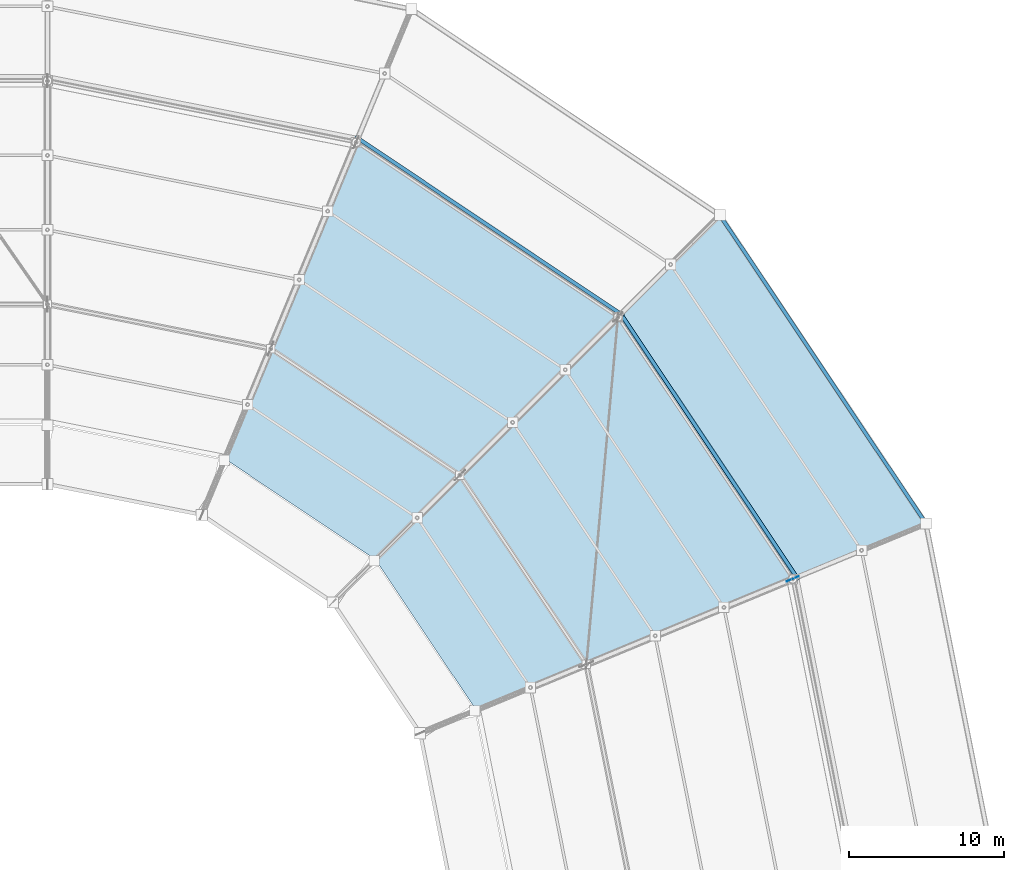
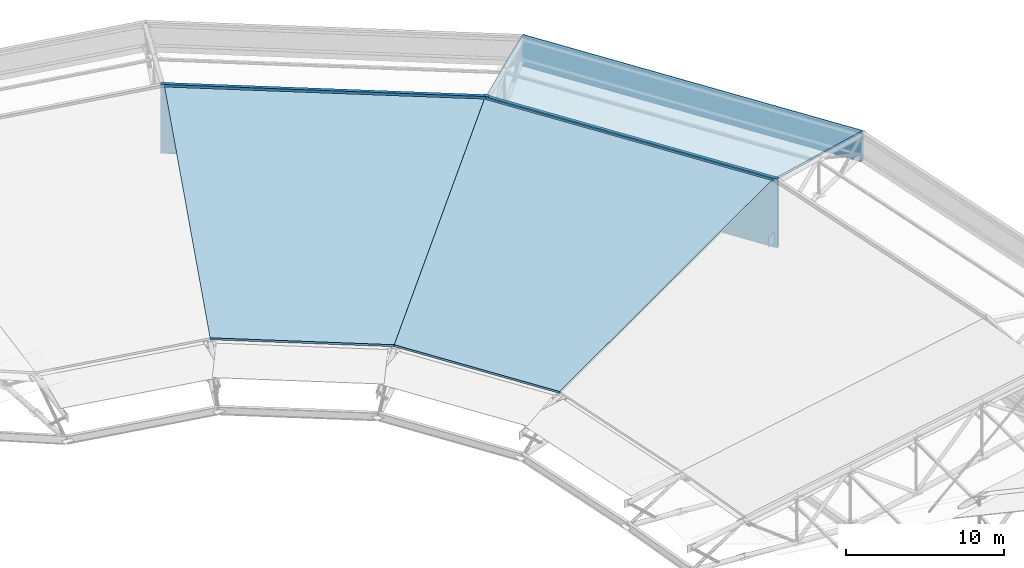
# One storey, part 118 of 146: 4 plates, 3 slabs.
"""IFC4 building model written with IfcOpenShell, lengths in metres."""

from ifc_helpers import new_model, si_unit, direction, frame, origin, origin_2d, place, context, subcontext, project, spatial, polyline, rectangle, outline, extrude, material, layer, layer_set, type_object, element, save


model = new_model("IFC4")

# Units and contexts
model_context = context("Model", 3, precision=1e-05, world=origin(), true_north=direction((0.0, 1.0)))
body_context = subcontext(model_context, "Body", "Model", "MODEL_VIEW")
ifc_project = project(units=[si_unit("LENGTHUNIT", "METRE"), si_unit("AREAUNIT", "SQUARE_METRE"), si_unit("VOLUMEUNIT", "CUBIC_METRE"), si_unit("PLANEANGLEUNIT", "RADIAN"), si_unit("MASSUNIT", "GRAM", prefix="KILO")], contexts=[model_context])

# Site, building, storey
site_placement = place(None, origin())
site = spatial("IfcSite", under=ifc_project, at=site_placement, CompositionType="ELEMENT")
building_placement = place(site_placement, origin())
building = spatial("IfcBuilding", under=site, at=building_placement, Name="Candeia Ridge Stadium", CompositionType="ELEMENT")
storey_placement = place(building_placement, frame((0.0, 0.0, 31.800048828125)))
storey = spatial("IfcBuildingStorey", under=building, at=storey_placement, Name="RF", CompositionType="ELEMENT", Elevation=31.800048828125)

# Plates
ifc_material_1 = material(Name="Aluminium Anodized Warm Bronze", Category="aluminium")
ifc_layer_1 = layer(ifc_material_1, 0.239990234375, Name="Aluminium Anodized Warm Bronze", Category="aluminium")
ifc_layer_set_1 = layer_set([ifc_layer_1], Name="Aluminium Anodized Warm Bronze")
plate_type_1 = type_object("IfcPlateType", Name="Crown Perforated Bronze Acoustic Screen", PredefinedType="SHEET", material=ifc_layer_set_1)
plate_1_placement = place(storey_placement, frame((183.634033203125, 123.487060546875, -0.3251953125), z_axis=(0.0, 0.0, 1.0), x_axis=(-0.555570210802, 0.831469627148, 0.0)))
element("IfcPlate", 1, at=plate_1_placement, inside=storey, type_object=plate_type_1, Name="Crown perforated bronze acoustic screen RF bay 34", PredefinedType="SHEET", context=body_context, shape_type="SweptSolid", body=[
    extrude(rectangle(XDim=20.798583984375, YDim=0.239990234375, at=origin_2d()), origin(), (0.0, 0.0, 1.0), 5.330078125),
])
plate_2_placement = place(storey_placement, frame((190.98974609375, 128.402099609375, 1.25), z_axis=(0.0, 0.0, 1.0), x_axis=(-0.555570200194, 0.831469634236, 0.0)))
element("IfcPlate", 2, at=plate_2_placement, inside=storey, type_object=plate_type_1, Name="Saddle roof outer eaves warm-bronze fascia bay 34", PredefinedType="SHEET", context=body_context, shape_type="SweptSolid", body=[
    extrude(rectangle(XDim=23.97802734375, YDim=0.239990234375, at=origin_2d()), origin(), (0.0, 0.0, 1.0), 2.300048828125),
])
plate_3_placement = place(storey_placement, frame((169.487060546875, 137.634033203125, -0.3251953125), z_axis=(0.0, 0.0, 1.0), x_axis=(-0.831469627148, 0.555570210802, 0.0)))
element("IfcPlate", 3, at=plate_3_placement, inside=storey, type_object=plate_type_1, Name="Crown perforated bronze acoustic screen RF bay 35", PredefinedType="SHEET", context=body_context, shape_type="SweptSolid", body=[
    extrude(rectangle(XDim=20.798583984375, YDim=0.239990234375, at=origin_2d()), origin(), (0.0, 0.0, 1.0), 5.330078125),
])
ifc_material_2 = material(Name="Steel ASTM A572 Grade 50", Category="steel")
ifc_layer_2 = layer(ifc_material_2, 0.028076171875, Name="Steel ASTM A572 Grade 50", Category="steel")
ifc_layer_set_2 = layer_set([ifc_layer_2], Name="Steel ASTM A572 Grade 50")
plate_type_2 = type_object("IfcPlateType", Name="Roof Truss Outer Tie Node Gusset ND-2", PredefinedType="USERDEFINED", material=ifc_layer_set_2)
plate_4_placement = place(storey_placement, frame((189.041748046875, 114.899658203125, -0.025146484375), z_axis=(0.0, 0.0, 1.0), x_axis=(0.923879532077, 0.382683433413, 0.0)))
element("IfcPlate", 4, at=plate_4_placement, inside=storey, type_object=plate_type_2, Name="Roof truss outer support node ND-2 bay 34", ObjectType="GUSSET PLATE", PredefinedType="USERDEFINED", context=body_context, shape_type="SweptSolid", body=[
    extrude(rectangle(XDim=0.85009765625, YDim=0.028076171875, at=origin_2d()), origin(), (0.0, 0.0, 1.0), 0.85009765625),
])

# Slabs
ifc_layer_3 = layer(ifc_material_2, 0.1650390625, Name="Steel ASTM A572 Grade 50", Category="steel")
ifc_layer_set_3 = layer_set([ifc_layer_3], Name="Steel ASTM A572 Grade 50")
slab_type_1 = type_object("IfcSlabType", Name="Saddle Eaves Roof Deck 165", PredefinedType="ROOF", material=ifc_layer_set_3)
slab_1_placement = place(storey_placement, frame((189.115966796875, 114.929931640625, 4.988037109375), z_axis=(0.126159658461, 0.084296794497, 0.988421868948), x_axis=(-0.555586657838, 0.831458637348, 3.364062e-06)))
element("IfcSlab", 5, at=slab_1_placement, inside=storey, type_object=slab_type_1, Name="Stadium saddle roof eave deck bay 34", PredefinedType="ROOF", context=body_context, shape_type="SweptSolid", body=[
    extrude(outline(polyline([(0.0, 0.0), (20.32091695834634, 0.0), (22.119602982938805, -9.149485867843724), (-1.7990793095016628, -9.148505019899881), (0.0, 0.0)])), origin(), (0.0, 0.0, -1.0), 0.1650390625),
])
ifc_layer_4 = layer(ifc_material_2, 0.179931640625, Name="Steel ASTM A572 Grade 50", Category="steel")
ifc_layer_set_4 = layer_set([ifc_layer_4], Name="Steel ASTM A572 Grade 50")
slab_type_2 = type_object("IfcSlabType", Name="Saddle Roof Structural Deck 180", PredefinedType="ROOF", material=ifc_layer_set_4)
slab_2_placement = place(storey_placement, frame((168.6240234375, 106.44189453125, 0.911865234375), z_axis=(-0.154087355623, -0.102962524473, 0.982677874683), x_axis=(-0.555597739994, 0.831451232069, -2.308707e-06)))
element("IfcSlab", 6, at=slab_2_placement, inside=storey, type_object=slab_type_2, Name="Stadium saddle roof main deck bay 34", PredefinedType="ROOF", context=body_context, shape_type="SweptSolid", body=[
    extrude(outline(polyline([(0.0, 0.0), (11.666586999361916, 0.0), (15.96183736590626, -21.978166695986), (-4.296445413772824, -21.97776898157144), (0.0, 0.0)])), origin(), (0.0, 0.0, -1.0), 0.179931640625),
])
slab_3_placement = place(storey_placement, frame((162.14208984375, 116.14208984375, 0.911865234375), z_axis=(-0.102962524473, -0.154087355623, 0.982677874683), x_axis=(-0.831451232069, 0.555597739994, 2.308707e-06)))
element("IfcSlab", 7, at=slab_3_placement, inside=storey, type_object=slab_type_2, Name="Stadium saddle roof main deck bay 35", PredefinedType="ROOF", context=body_context, shape_type="SweptSolid", body=[
    extrude(outline(polyline([(0.0, 0.0), (11.666586999361916, 0.0), (15.96303241313474, -21.97776898157144), (-4.2952503665443444, -21.978166695986005), (0.0, 0.0)])), origin(), (0.0, 0.0, -1.0), 0.179931640625),
])

save(model, "model.ifc")
